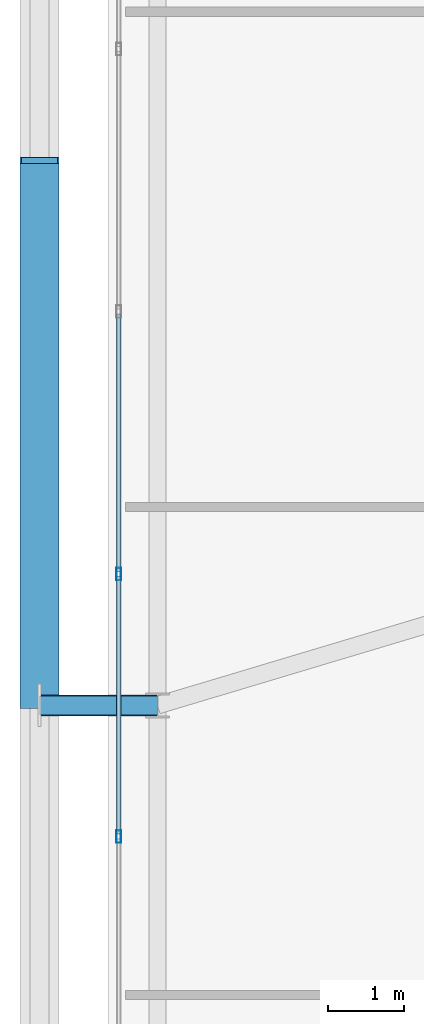
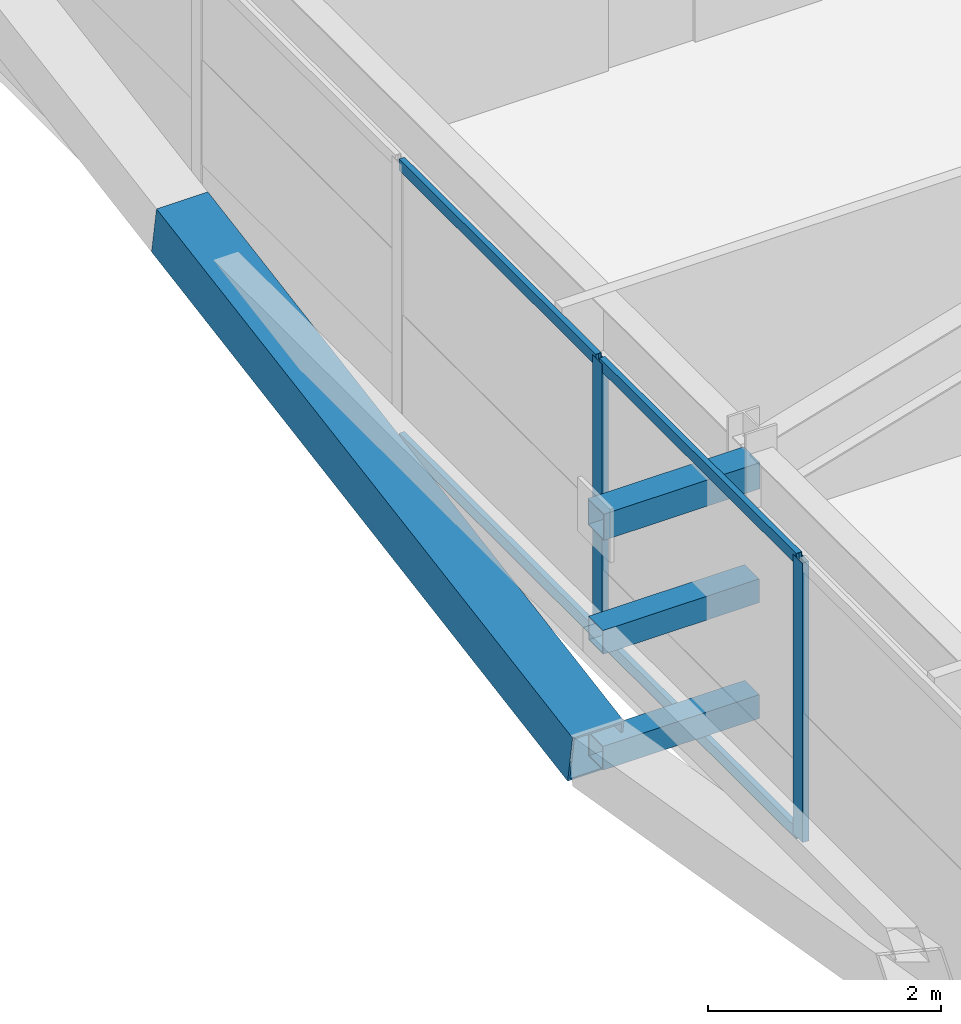
# One storey, part 14 of 59: 10 members, 1 element without a shape of its own.
"""IFC4 building model written with IfcOpenShell, lengths in metres."""

from ifc_helpers import new_model, si_unit, direction, frame, origin, origin_2d, place, context, subcontext, project, spatial, hollow_rectangle, extrude, source, transform, mapped, material, layer, layer_set, material_profile, profile_set, type_object, element, aggregate, save


model = new_model("IFC4")

# Units and contexts
model_context = context("Model", 3, precision=1e-05, world=origin(), true_north=direction((0.0, 1.0)))
body_context = subcontext(model_context, "Body", "Model", "MODEL_VIEW")
ifc_project = project(units=[si_unit("LENGTHUNIT", "METRE"), si_unit("AREAUNIT", "SQUARE_METRE"), si_unit("VOLUMEUNIT", "CUBIC_METRE"), si_unit("PLANEANGLEUNIT", "RADIAN"), si_unit("MASSUNIT", "GRAM", prefix="KILO")], contexts=[model_context])

# Site, building, storey
site_placement = place(None, origin())
site = spatial("IfcSite", under=ifc_project, at=site_placement, CompositionType="ELEMENT")
building_placement = place(site_placement, origin())
building = spatial("IfcBuilding", under=site, at=building_placement, Name="Taldren Reach Tower", CompositionType="ELEMENT")
storey_placement = place(building_placement, frame((0.0, 0.0, 45.14990234375)))
storey = spatial("IfcBuildingStorey", under=building, at=storey_placement, Name="L13", CompositionType="ELEMENT", Elevation=45.14990234375)

# Members
ifc_material_1 = material(Name="Steel Gr 450 (C450L0)", Category="steel")
ifc_material_profile_1 = material_profile(ifc_material_1, hollow_rectangle(XDim=0.27490234375, YDim=0.27490234375, WallThickness=0.00927734375, at=origin_2d()), Name="275x275x9.3SHS")
ifc_profile_set_1 = profile_set([ifc_material_profile_1], Name="Steel Gr 450 (C450L0)")
member_type_1 = type_object("IfcMemberType", Name="MB-TIE273", PredefinedType="STRUT", material=ifc_profile_set_1)
shared_shape_1 = source(origin(), body_context, "Body", "SweptSolid", [
    extrude(hollow_rectangle(XDim=0.27490234375, YDim=0.27490234375, WallThickness=0.00927734375, at=origin_2d()), origin(), (0.0, 0.0, 1.0), 1.5498046875),
])
member_1_placement = place(storey_placement, frame((5.64990234375, 20.0, 2.650146484375), z_axis=(-1.0, 0.0, 0.0), x_axis=(0.0, -1.0, 0.0)))
element("IfcMember", 1, at=member_1_placement, inside=storey, type_object=member_type_1, Name="Exoskeleton diaphragm tie strut B1-W2 L13", PredefinedType="STRUT", context=body_context, shape_type="MappedRepresentation", body=[
    mapped(shared_shape_1, transform((0.0, 0.0, 0.0), scale=1.0)),
])
ifc_material_2 = material(Name="Steel Gr 350 (C350L0)", Category="steel")
ifc_material_profile_2 = material_profile(ifc_material_2, hollow_rectangle(XDim=0.25, YDim=0.25, WallThickness=0.010009765625, at=origin_2d()), Name="250x250x10.0SHS")
ifc_profile_set_2 = profile_set([ifc_material_profile_2], Name="Steel Gr 350 (C350L0)")
member_type_2 = type_object("IfcMemberType", Name="MB-POST250", PredefinedType="POST", material=ifc_profile_set_2)
shared_shape_2 = source(origin(), body_context, "Body", "SweptSolid", [
    extrude(hollow_rectangle(XDim=0.25, YDim=0.25, WallThickness=0.010009765625, at=origin_2d()), origin(), (0.0, 0.0, 1.0), 1.5498046875),
])
for number, where, z_axis, x_axis, name in (
    (2, (5.64990234375, 20.0, 0.22021484375), (-1.0, 0.0, 0.0), (0.0, -1.0, 0.0), "Exoskeleton base diaphragm tie strut B1-W2 L13"),
    (3, (5.64990234375, 20.0, 1.43505859375), (-1.0, 0.0, 0.0), (0.0, -1.0, 0.0), "Exoskeleton mid-tier diaphragm tie B1-W2 L13"),
):
    element("IfcMember", number, at=place(storey_placement, frame(where, z_axis=z_axis, x_axis=x_axis)), inside=storey, type_object=member_type_2, Name=name, PredefinedType="POST", context=body_context, shape_type="MappedRepresentation", body=[
        mapped(shared_shape_2, transform((0.0, 0.0, 0.0), scale=1.0)),
    ])
ifc_material_profile_3 = material_profile(ifc_material_1, hollow_rectangle(XDim=0.510009765625, YDim=0.510009765625, WallThickness=0.02001953125, at=origin_2d()), Name="510x510x20.0SHS")
ifc_profile_set_3 = profile_set([ifc_material_profile_3], Name="Steel Gr 450 (C450L0)")
member_type_3 = type_object("IfcMemberType", Name="MB-EXO508", PredefinedType="BRACE", material=ifc_profile_set_3)
shared_shape_3 = source(origin(), body_context, "Body", "SweptSolid", [
    extrude(hollow_rectangle(XDim=0.510009765625, YDim=0.510009765625, WallThickness=0.02001953125, at=origin_2d()), origin(), (0.0, 0.0, 1.0), 7.25244140625),
])
member_2_placement = place(storey_placement, frame((4.10009765625, 20.0, 0.22021484375), z_axis=(0.0, 0.985870415536, 0.167509772168), x_axis=(-1.0, 0.0, 0.0)))
element("IfcMember", 4, at=member_2_placement, inside=storey, type_object=member_type_3, Name="Exoskeleton Diagrid Brace B1-W2 L13", PredefinedType="BRACE", context=body_context, shape_type="MappedRepresentation", body=[
    mapped(shared_shape_3, transform((0.0, 0.0, 0.0), scale=1.0)),
])

# Curtain wall, members
ifc_material_3 = material(Name="Aluminium and Low-E Glass Unitised System", Category="aluminium")
ifc_layer = layer(ifc_material_3, 0.159912109375)
ifc_layer_set = layer_set([ifc_layer], Name="Aluminium and Low-E Glass Unitised System")
curtain_wall_type = type_object("IfcCurtainWallType", Name="CW-SYS-2", PredefinedType="NOTDEFINED", material=ifc_layer_set)
curtain_wall_placement = place(storey_placement, origin())
curtain_wall = element("IfcCurtainWall", 5, at=curtain_wall_placement, inside=storey, type_object=curtain_wall_type, Name="Unitised curtain wall CW-L13-W", PredefinedType="NOTDEFINED")
ifc_material_4 = material(Name="Anodised Aluminium 6063-T6", Category="aluminium")
ifc_material_profile_4 = material_profile(ifc_material_4, hollow_rectangle(XDim=0.054931640625, YDim=0.1201171875, WallThickness=0.0029296875, at=origin_2d()), Name="ALU-120x55x3RHS")
ifc_profile_set_4 = profile_set([ifc_material_profile_4], Name="Anodised Aluminium 6063-T6")
member_type_4 = type_object("IfcMemberType", Name="CW-TRN-135", PredefinedType="USERDEFINED", material=ifc_profile_set_4)
shared_shape_4 = source(origin(), body_context, "Body", "SweptSolid", [
    extrude(hollow_rectangle(XDim=0.054931640625, YDim=0.1201171875, WallThickness=0.0029296875, at=origin_2d()), origin(), (0.0, 0.0, 1.0), 3.37939453125),
])
member_3_placement = place(storey_placement, frame((5.139892578125, 21.689697265625, 0.027587890625), z_axis=(0.0, -1.0, 0.0), x_axis=(1.0, 0.0, 0.0)))
member_3 = element("IfcMember", 6, at=member_3_placement, type_object=member_type_4, Name="CW-2 transom 5.1", ObjectType="TRANSOM", PredefinedType="USERDEFINED", context=body_context, shape_type="MappedRepresentation", body=[
    mapped(shared_shape_4, transform((0.0, 0.0, 0.0), scale=1.0)),
])
member_4_placement = place(storey_placement, frame((5.139892578125, 21.689697265625, 2.902587890625), z_axis=(0.0, -1.0, 0.0), x_axis=(1.0, 0.0, 0.0)))
member_4 = element("IfcMember", 7, at=member_4_placement, type_object=member_type_4, Name="CW-2 transom 5.2", ObjectType="TRANSOM", PredefinedType="USERDEFINED", context=body_context, shape_type="MappedRepresentation", body=[
    mapped(shared_shape_4, transform((0.0, 0.0, 0.0), scale=1.0)),
])
shared_shape_5 = source(origin(), body_context, "Body", "SweptSolid", [
    extrude(hollow_rectangle(XDim=0.054931640625, YDim=0.1201171875, WallThickness=0.0029296875, at=origin_2d()), origin(), (0.0, 0.0, 1.0), 3.379638671875),
])
member_5_placement = place(storey_placement, frame((5.139892578125, 25.13427734375, 0.027587890625), z_axis=(0.0, -1.0, 0.0), x_axis=(1.0, 0.0, 0.0)))
member_5 = element("IfcMember", 8, at=member_5_placement, type_object=member_type_4, Name="CW-2 transom 4.1", ObjectType="TRANSOM", PredefinedType="USERDEFINED", context=body_context, shape_type="MappedRepresentation", body=[
    mapped(shared_shape_5, transform((0.0, 0.0, 0.0), scale=1.0)),
])
member_6_placement = place(storey_placement, frame((5.139892578125, 25.13427734375, 2.902587890625), z_axis=(0.0, -1.0, 0.0), x_axis=(1.0, 0.0, 0.0)))
member_6 = element("IfcMember", 9, at=member_6_placement, type_object=member_type_4, Name="CW-2 transom 4.2", ObjectType="TRANSOM", PredefinedType="USERDEFINED", context=body_context, shape_type="MappedRepresentation", body=[
    mapped(shared_shape_5, transform((0.0, 0.0, 0.0), scale=1.0)),
])
ifc_material_profile_5 = material_profile(ifc_material_4, hollow_rectangle(XDim=0.06494140625, YDim=0.1650390625, WallThickness=0.00390625, at=origin_2d()), Name="ALU-165x65x4RHS")
ifc_profile_set_5 = profile_set([ifc_material_profile_5], Name="Anodised Aluminium 6063-T6")
member_type_5 = type_object("IfcMemberType", Name="CW-MUL-165", PredefinedType="MULLION", material=ifc_profile_set_5)
shared_shape_6 = source(origin(), body_context, "Body", "SweptSolid", [
    extrude(hollow_rectangle(XDim=0.06494140625, YDim=0.1650390625, WallThickness=0.00390625, at=origin_2d()), origin(), (0.0, 0.0, 1.0), 2.93017578125),
])
member_7_placement = place(storey_placement, frame((5.139892578125, 21.72216796875, 0.0), z_axis=(0.0, 0.0, 1.0), x_axis=(1.0, 0.0, 0.0)))
member_7 = element("IfcMember", 10, at=member_7_placement, type_object=member_type_5, Name="CW-2 mullion 5", PredefinedType="MULLION", context=body_context, shape_type="MappedRepresentation", body=[
    mapped(shared_shape_6, transform((0.0, 0.0, 0.0), scale=1.0)),
])
member_8_placement = place(storey_placement, frame((5.139892578125, 18.27783203125, 0.0), z_axis=(0.0, 0.0, 1.0), x_axis=(1.0, 0.0, 0.0)))
member_8 = element("IfcMember", 11, at=member_8_placement, type_object=member_type_5, Name="CW-2 mullion 6", PredefinedType="MULLION", context=body_context, shape_type="MappedRepresentation", body=[
    mapped(shared_shape_6, transform((0.0, 0.0, 0.0), scale=1.0)),
])
aggregate(curtain_wall, [member_7, member_8, member_5, member_6, member_3, member_4])

save(model, "model.ifc")
